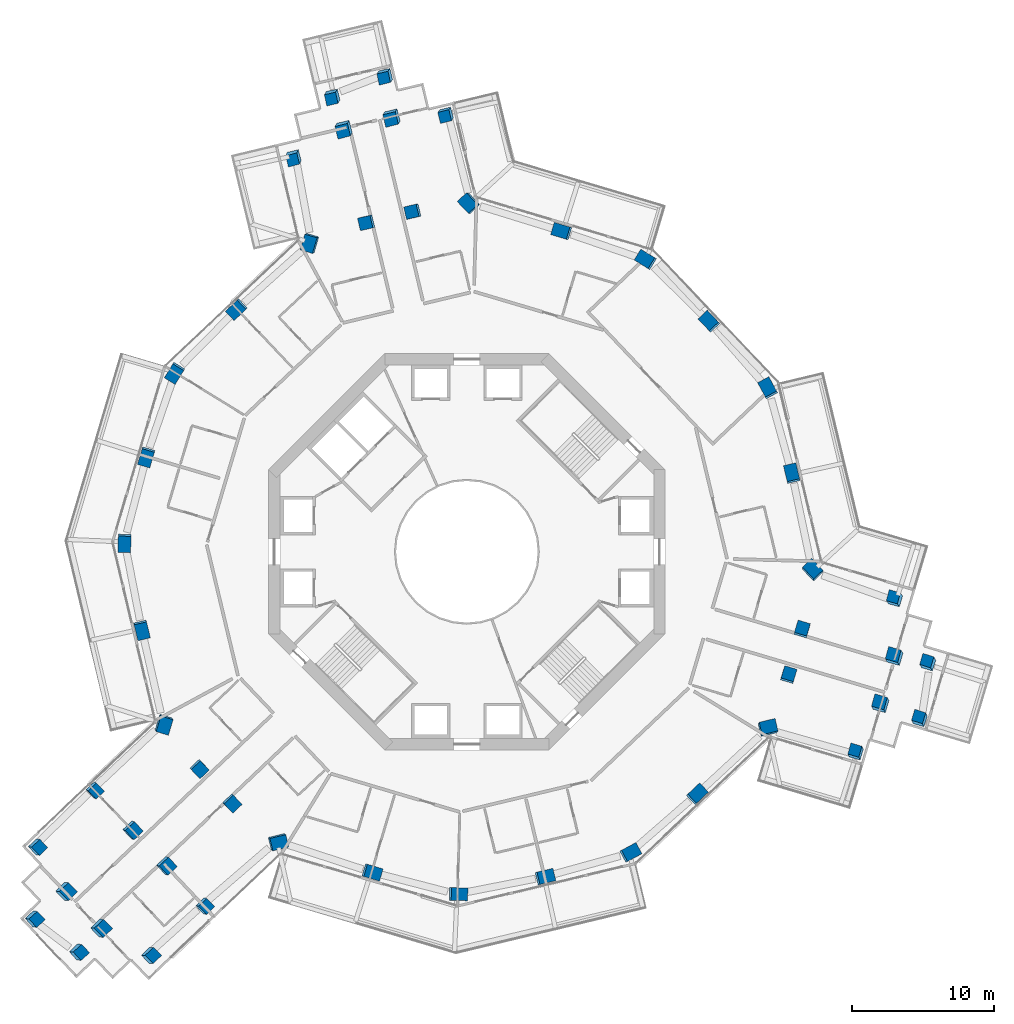
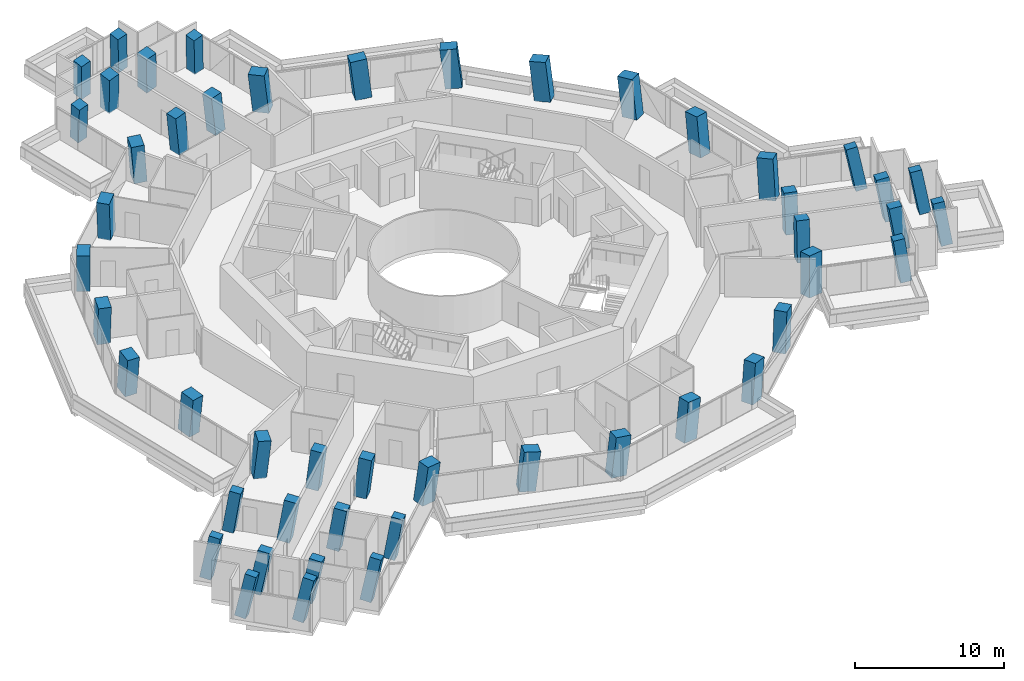
# One storey, part 1 of 27: 49 columns.
"""IFC4 building model written with IfcOpenShell, lengths in metres."""

from ifc_helpers import new_model, si_unit, direction, frame, origin, origin_2d, place, context, subcontext, project, spatial, rectangle, extrude, material, material_profile, profile_set, type_object, element, save


model = new_model("IFC4")

# Units and contexts
model_context = context("Model", 3, precision=1e-05, world=origin(), true_north=direction((0.0, 1.0)))
body_context = subcontext(model_context, "Body", "Model", "MODEL_VIEW")
ifc_project = project(units=[si_unit("LENGTHUNIT", "METRE"), si_unit("AREAUNIT", "SQUARE_METRE"), si_unit("VOLUMEUNIT", "CUBIC_METRE"), si_unit("PLANEANGLEUNIT", "RADIAN"), si_unit("MASSUNIT", "GRAM", prefix="KILO")], contexts=[model_context])

# Site, building, storey
site_placement = place(None, origin())
site = spatial("IfcSite", under=ifc_project, at=site_placement, CompositionType="ELEMENT")
building_placement = place(site_placement, origin())
building = spatial("IfcBuilding", under=site, at=building_placement, Name="Verdalira Terraces Hotel", CompositionType="ELEMENT")
storey_placement = place(building_placement, frame((0.0, 0.0, 89.5)))
storey = spatial("IfcBuildingStorey", under=building, at=storey_placement, Name="L20", CompositionType="ELEMENT", Elevation=89.5)

# Columns
ifc_material_1 = material(Name="Concrete C80", Category="concrete")
ifc_material_profile_1 = material_profile(ifc_material_1, rectangle(XDim=1.149902, YDim=0.899902, at=origin_2d()), Name="RC 1150X900")
ifc_profile_set_1 = profile_set([ifc_material_profile_1], Name="Concrete C80")
column_type_1 = type_object("IfcColumnType", Name="Column RC 1150X900 C80", PredefinedType="COLUMN", material=ifc_profile_set_1)
column_1_placement = place(storey_placement, frame((-11.052734, 21.813232, 0.0), z_axis=(-0.103304932, -0.053362812, 0.993217248), x_axis=(0.278133267, 0.957175499, 0.080355144)))
element("IfcColumn", 1, at=column_1_placement, inside=storey, type_object=column_type_1, Name="Column C03", PredefinedType="COLUMN", context=body_context, shape_type="SweptSolid", body=[
    extrude(rectangle(XDim=1.149902, YDim=0.899902, at=origin_2d()), origin(), (0.0, 0.0, 1.0), 3.21167),
])
column_2_placement = place(storey_placement, frame((-16.23291, 17.141846, 0.0), z_axis=(-0.080917572, -0.077875558, 0.993673862), x_axis=(-0.721783867, -0.682947062, -0.112300308)))
element("IfcColumn", 2, at=column_2_placement, inside=storey, type_object=column_type_1, Name="Column C04", PredefinedType="COLUMN", context=body_context, shape_type="SweptSolid", body=[
    extrude(rectangle(XDim=1.149902, YDim=0.899902, at=origin_2d()), origin(), (0.0, 0.0, 1.0), 3.210205),
])
column_3_placement = place(storey_placement, frame((-20.614502, 12.662109, 0.0), z_axis=(-0.059376626, -0.098530227, 0.993361068), x_axis=(0.51992525, 0.846430674, 0.115034117)))
element("IfcColumn", 3, at=column_3_placement, inside=storey, type_object=column_type_1, Name="Column C05", PredefinedType="COLUMN", context=body_context, shape_type="SweptSolid", body=[
    extrude(rectangle(XDim=1.149902, YDim=0.899902, at=origin_2d()), origin(), (0.0, 0.0, 1.0), 3.211182),
])
column_4_placement = place(storey_placement, frame((-22.62915, 6.72876, 0.0), z_axis=(-0.031104578, -0.107915392, 0.993673374), x_axis=(-0.283296055, -0.952434258, -0.11230463)))
element("IfcColumn", 4, at=column_4_placement, inside=storey, type_object=column_type_1, Name="Column C06", PredefinedType="COLUMN", context=body_context, shape_type="SweptSolid", body=[
    extrude(rectangle(XDim=1.149902, YDim=0.899902, at=origin_2d()), origin(), (0.0, 0.0, 1.0), 3.210205),
])
column_5_placement = place(storey_placement, frame((-24.183594, 0.658691, 0.0), z_axis=(-0.002204763, -0.115027814, 0.993359825), x_axis=(0.027467553, 0.992980471, 0.11504485)))
element("IfcColumn", 5, at=column_5_placement, inside=storey, type_object=column_type_1, Name="Column C07", PredefinedType="COLUMN", context=body_context, shape_type="SweptSolid", body=[
    extrude(rectangle(XDim=1.149902, YDim=0.899902, at=origin_2d()), origin(), (0.0, 0.0, 1.0), 3.211182),
])
column_6_placement = place(storey_placement, frame((-22.961914, -5.487305, 0.0), z_axis=(0.027073959, -0.108980291, 0.993675147), x_axis=(0.231384883, -0.9663603, -0.112288943)))
element("IfcColumn", 6, at=column_6_placement, inside=storey, type_object=column_type_1, Name="Column C08", PredefinedType="COLUMN", context=body_context, shape_type="SweptSolid", body=[
    extrude(rectangle(XDim=1.149902, YDim=0.899902, at=origin_2d()), origin(), (0.0, 0.0, 1.0), 3.210205),
])
column_7_placement = place(storey_placement, frame((-21.419189, -12.157715, 0.0), z_axis=(0.058677812, -0.101394044, 0.993114375), x_axis=(0.290701453, 0.953449368, 0.080168371)))
element("IfcColumn", 7, at=column_7_placement, inside=storey, type_object=column_type_1, Name="Column C09", PredefinedType="COLUMN", context=body_context, shape_type="SweptSolid", body=[
    extrude(rectangle(XDim=1.149902, YDim=0.899902, at=origin_2d()), origin(), (0.0, 0.0, 1.0), 3.212158),
])
column_8_placement = place(storey_placement, frame((-13.364502, -20.478516, 0.0), z_axis=(0.097907404, -0.062788444, 0.993212843), x_axis=(-0.967965552, -0.237868793, 0.080381142)))
element("IfcColumn", 8, at=column_8_placement, inside=storey, type_object=column_type_1, Name="Column C16", PredefinedType="COLUMN", context=body_context, shape_type="SweptSolid", body=[
    extrude(rectangle(XDim=1.149902, YDim=0.899902, at=origin_2d()), origin(), (0.0, 0.0, 1.0), 3.21167),
])
column_9_placement = place(storey_placement, frame((-6.72876, -22.62915, 0.0), z_axis=(0.107915392, -0.031104578, 0.993673374), x_axis=(0.952434258, -0.283296055, -0.11230463)))
element("IfcColumn", 9, at=column_9_placement, inside=storey, type_object=column_type_1, Name="Column C17", PredefinedType="COLUMN", context=body_context, shape_type="SweptSolid", body=[
    extrude(rectangle(XDim=1.149902, YDim=0.899902, at=origin_2d()), origin(), (0.0, 0.0, 1.0), 3.210205),
])
column_10_placement = place(storey_placement, frame((-0.658691, -24.183594, 0.0), z_axis=(0.115027814, -0.002204763, 0.993359825), x_axis=(-0.992980471, 0.027467553, 0.11504485)))
element("IfcColumn", 10, at=column_10_placement, inside=storey, type_object=column_type_1, Name="Column C18", PredefinedType="COLUMN", context=body_context, shape_type="SweptSolid", body=[
    extrude(rectangle(XDim=1.149902, YDim=0.899902, at=origin_2d()), origin(), (0.0, 0.0, 1.0), 3.211182),
])
column_11_placement = place(storey_placement, frame((5.487305, -22.961914, 0.0), z_axis=(0.108980291, 0.027073959, 0.993675147), x_axis=(0.9663603, 0.231384883, -0.112288943)))
element("IfcColumn", 11, at=column_11_placement, inside=storey, type_object=column_type_1, Name="Column C19", PredefinedType="COLUMN", context=body_context, shape_type="SweptSolid", body=[
    extrude(rectangle(XDim=1.149902, YDim=0.899902, at=origin_2d()), origin(), (0.0, 0.0, 1.0), 3.210205),
])
column_12_placement = place(storey_placement, frame((11.521484, -21.272949, 0.0), z_axis=(0.100734874, 0.05557524, 0.993359893), x_axis=(-0.873816203, -0.472451123, 0.115044255)))
element("IfcColumn", 12, at=column_12_placement, inside=storey, type_object=column_type_1, Name="Column C20", PredefinedType="COLUMN", context=body_context, shape_type="SweptSolid", body=[
    extrude(rectangle(XDim=1.149902, YDim=0.899902, at=origin_2d()), origin(), (0.0, 0.0, 1.0), 3.211182),
])
column_13_placement = place(storey_placement, frame((16.23291, -17.141846, 0.0), z_axis=(0.080917572, 0.077875558, 0.993673862), x_axis=(0.721783867, 0.682947062, -0.112300308)))
element("IfcColumn", 13, at=column_13_placement, inside=storey, type_object=column_type_1, Name="Column C21", PredefinedType="COLUMN", context=body_context, shape_type="SweptSolid", body=[
    extrude(rectangle(XDim=1.149902, YDim=0.899902, at=origin_2d()), origin(), (0.0, 0.0, 1.0), 3.210205),
])
column_14_placement = place(storey_placement, frame((21.238525, -12.470703, 0.0), z_axis=(0.05845012, 0.101470624, 0.993119981), x_axis=(-0.971070513, -0.224945116, 0.080135845)))
element("IfcColumn", 14, at=column_14_placement, inside=storey, type_object=column_type_1, Name="Column C22", PredefinedType="COLUMN", context=body_context, shape_type="SweptSolid", body=[
    extrude(rectangle(XDim=1.149902, YDim=0.899902, at=origin_2d()), origin(), (0.0, 0.0, 1.0), 3.212158),
])
column_15_placement = place(storey_placement, frame((24.417236, -1.334717, 0.0), z_axis=(0.005397091, 0.116151488, 0.993216846), x_axis=(0.690131688, -0.719208539, 0.080357516)))
element("IfcColumn", 15, at=column_15_placement, inside=storey, type_object=column_type_1, Name="Column C27", PredefinedType="COLUMN", context=body_context, shape_type="SweptSolid", body=[
    extrude(rectangle(XDim=1.149902, YDim=0.899902, at=origin_2d()), origin(), (0.0, 0.0, 1.0), 3.21167),
])
column_16_placement = place(storey_placement, frame((22.961914, 5.487305, 0.0), z_axis=(-0.027073959, 0.108980291, 0.993675147), x_axis=(-0.231384883, 0.9663603, -0.112288943)))
element("IfcColumn", 16, at=column_16_placement, inside=storey, type_object=column_type_1, Name="Column C28", PredefinedType="COLUMN", context=body_context, shape_type="SweptSolid", body=[
    extrude(rectangle(XDim=1.149902, YDim=0.899902, at=origin_2d()), origin(), (0.0, 0.0, 1.0), 3.210205),
])
column_17_placement = place(storey_placement, frame((21.272949, 11.521484, 0.0), z_axis=(-0.05557524, 0.100734874, 0.993359893), x_axis=(0.472451123, -0.873816203, 0.115044255)))
element("IfcColumn", 17, at=column_17_placement, inside=storey, type_object=column_type_1, Name="Column C29", PredefinedType="COLUMN", context=body_context, shape_type="SweptSolid", body=[
    extrude(rectangle(XDim=1.149902, YDim=0.899902, at=origin_2d()), origin(), (0.0, 0.0, 1.0), 3.211182),
])
column_18_placement = place(storey_placement, frame((17.141846, 16.23291, 0.0), z_axis=(-0.077875558, 0.080917572, 0.993673862), x_axis=(-0.682947062, 0.721783867, -0.112300308)))
element("IfcColumn", 18, at=column_18_placement, inside=storey, type_object=column_type_1, Name="Column C30", PredefinedType="COLUMN", context=body_context, shape_type="SweptSolid", body=[
    extrude(rectangle(XDim=1.149902, YDim=0.899902, at=origin_2d()), origin(), (0.0, 0.0, 1.0), 3.210205),
])
column_19_placement = place(storey_placement, frame((12.662109, 20.614502, 0.0), z_axis=(-0.098530227, 0.059376626, 0.993361068), x_axis=(0.846430674, -0.51992525, 0.115034117)))
element("IfcColumn", 19, at=column_19_placement, inside=storey, type_object=column_type_1, Name="Column C31", PredefinedType="COLUMN", context=body_context, shape_type="SweptSolid", body=[
    extrude(rectangle(XDim=1.149902, YDim=0.899902, at=origin_2d()), origin(), (0.0, 0.0, 1.0), 3.211182),
])
column_20_placement = place(storey_placement, frame((6.72876, 22.62915, 0.0), z_axis=(-0.107915392, 0.031104578, 0.993673374), x_axis=(-0.952434258, 0.283296055, -0.11230463)))
element("IfcColumn", 20, at=column_20_placement, inside=storey, type_object=column_type_1, Name="Column C32", PredefinedType="COLUMN", context=body_context, shape_type="SweptSolid", body=[
    extrude(rectangle(XDim=1.149902, YDim=0.899902, at=origin_2d()), origin(), (0.0, 0.0, 1.0), 3.210205),
])
column_21_placement = place(storey_placement, frame((0.180664, 24.628418, 0.0), z_axis=(-0.117127892, -0.000152015, 0.993116828), x_axis=(0.680564946, -0.728290236, 0.080154141)))
element("IfcColumn", 21, at=column_21_placement, inside=storey, type_object=column_type_1, Name="Column C33", PredefinedType="COLUMN", context=body_context, shape_type="SweptSolid", body=[
    extrude(rectangle(XDim=1.149902, YDim=0.899902, at=origin_2d()), origin(), (0.0, 0.0, 1.0), 3.212158),
])
ifc_material_2 = material(Name="Concrete C80", Category="concrete")
ifc_material_profile_2 = material_profile(ifc_material_2, rectangle(XDim=0.800049, YDim=0.800049, at=origin_2d()), Name="RC 800X800")
ifc_profile_set_2 = profile_set([ifc_material_profile_2], Name="Concrete C80")
column_type_2 = type_object("IfcColumnType", Name="Column RC 800X800 C80", PredefinedType="COLUMN", material=ifc_profile_set_2)
column_22_placement = place(storey_placement, frame((-1.4375, 30.926025, 0.0), z_axis=(-0.107554482, -0.154980672, 0.982045327), x_axis=(-0.248157233, 0.960694776, 0.124432851)))
element("IfcColumn", 22, at=column_22_placement, inside=storey, type_object=column_type_2, Name="Column C01", PredefinedType="COLUMN", context=body_context, shape_type="SweptSolid", body=[
    extrude(rectangle(XDim=0.800049, YDim=0.800049, at=origin_2d()), origin(), (0.0, 0.0, 1.0), 3.248291),
])
column_23_placement = place(storey_placement, frame((-12.194092, 27.923584, 0.0), z_axis=(-0.092346337, -0.203863117, 0.974634282), x_axis=(0.252775021, -0.951551465, -0.175084546)))
element("IfcColumn", 23, at=column_23_placement, inside=storey, type_object=column_type_2, Name="Column C02", PredefinedType="COLUMN", context=body_context, shape_type="SweptSolid", body=[
    extrude(rectangle(XDim=0.800049, YDim=0.800049, at=origin_2d()), origin(), (0.0, 0.0, 1.0), 3.272949),
])
column_24_placement = place(storey_placement, frame((-26.341309, -16.818848, 0.0), z_axis=(0.135242842, -0.070495709, 0.988301436), x_axis=(-0.719970424, -0.692262547, 0.049144224)))
element("IfcColumn", 24, at=column_24_placement, inside=storey, type_object=column_type_2, Name="Column C10", PredefinedType="COLUMN", context=body_context, shape_type="SweptSolid", body=[
    extrude(rectangle(XDim=0.800049, YDim=0.800049, at=origin_2d()), origin(), (0.0, 0.0, 1.0), 3.227783),
])
column_25_placement = place(storey_placement, frame((-30.420654, -20.833496, 0.0), z_axis=(0.206685096, -0.035844374, 0.977750711), x_axis=(-0.705671087, -0.697676783, 0.123593783)))
element("IfcColumn", 25, at=column_25_placement, inside=storey, type_object=column_type_2, Name="Column C11", PredefinedType="COLUMN", context=body_context, shape_type="SweptSolid", body=[
    extrude(rectangle(XDim=0.800049, YDim=0.800049, at=origin_2d()), origin(), (0.0, 0.0, 1.0), 3.262451),
])
column_26_placement = place(storey_placement, frame((-30.644043, -25.92041, 0.0), z_axis=(0.229285218, -0.036477194, 0.972675538), x_axis=(0.656734149, -0.731767987, -0.182252219)))
element("IfcColumn", 26, at=column_26_placement, inside=storey, type_object=column_type_2, Name="Column C12", PredefinedType="COLUMN", context=body_context, shape_type="SweptSolid", body=[
    extrude(rectangle(XDim=0.800049, YDim=0.800049, at=origin_2d()), origin(), (0.0, 0.0, 1.0), 3.279541),
])
column_27_placement = place(storey_placement, frame((-27.524902, -28.268799, 0.0), z_axis=(0.239644763, -0.021914199, 0.970613288), x_axis=(0.654927285, -0.734360811, -0.178281942)))
element("IfcColumn", 27, at=column_27_placement, inside=storey, type_object=column_type_2, Name="Column C13", PredefinedType="COLUMN", context=body_context, shape_type="SweptSolid", body=[
    extrude(rectangle(XDim=0.800049, YDim=0.800049, at=origin_2d()), origin(), (0.0, 0.0, 1.0), 3.286621),
])
column_28_placement = place(storey_placement, frame((-22.438232, -28.506348, 0.0), z_axis=(0.240542082, 0.001782894, 0.970637073), x_axis=(0.694635131, 0.698144298, -0.173425992)))
element("IfcColumn", 28, at=column_28_placement, inside=storey, type_object=column_type_2, Name="Column C14", PredefinedType="COLUMN", context=body_context, shape_type="SweptSolid", body=[
    extrude(rectangle(XDim=0.800049, YDim=0.800049, at=origin_2d()), origin(), (0.0, 0.0, 1.0), 3.286377),
])
column_29_placement = place(storey_placement, frame((-18.585205, -25.009277, 0.0), z_axis=(0.172902393, -0.03329972, 0.984375889), x_axis=(0.711818978, 0.694987588, -0.101518448)))
element("IfcColumn", 29, at=column_29_placement, inside=storey, type_object=column_type_2, Name="Column C15", PredefinedType="COLUMN", context=body_context, shape_type="SweptSolid", body=[
    extrude(rectangle(XDim=0.800049, YDim=0.800049, at=origin_2d()), origin(), (0.0, 0.0, 1.0), 3.240479),
])
column_30_placement = place(storey_placement, frame((27.501465, -14.218262, 0.0), z_axis=(-0.080420969, 0.17068787, 0.982037738), x_axis=(0.956006816, -0.265633109, 0.124458907)))
element("IfcColumn", 30, at=column_30_placement, inside=storey, type_object=column_type_2, Name="Column C23", PredefinedType="COLUMN", context=body_context, shape_type="SweptSolid", body=[
    extrude(rectangle(XDim=0.800049, YDim=0.800049, at=origin_2d()), origin(), (0.0, 0.0, 1.0), 3.248291),
])
column_31_placement = place(storey_placement, frame((32.018555, -11.868164, 0.0), z_axis=(-0.091183932, 0.19089532, 0.977366087), x_axis=(0.303122995, 0.940202512, -0.155356642)))
element("IfcColumn", 31, at=column_31_placement, inside=storey, type_object=column_type_2, Name="Column C24", PredefinedType="COLUMN", context=body_context, shape_type="SweptSolid", body=[
    extrude(rectangle(XDim=0.800049, YDim=0.800049, at=origin_2d()), origin(), (0.0, 0.0, 1.0), 3.263916),
])
column_32_placement = place(storey_placement, frame((32.617188, -7.925293, 0.0), z_axis=(-0.109402351, 0.193058583, 0.975068977), x_axis=(0.30544705, 0.94002344, -0.151848712)))
element("IfcColumn", 32, at=column_32_placement, inside=storey, type_object=column_type_2, Name="Column C25", PredefinedType="COLUMN", context=body_context, shape_type="SweptSolid", body=[
    extrude(rectangle(XDim=0.800049, YDim=0.800049, at=origin_2d()), origin(), (0.0, 0.0, 1.0), 3.271484),
])
column_33_placement = place(storey_placement, frame((30.279541, -3.401367, 0.0), z_axis=(-0.130388019, 0.181931567, 0.974628067), x_axis=(-0.950445055, 0.25688944, -0.175105717)))
element("IfcColumn", 33, at=column_33_placement, inside=storey, type_object=column_type_2, Name="Column C26", PredefinedType="COLUMN", context=body_context, shape_type="SweptSolid", body=[
    extrude(rectangle(XDim=0.800049, YDim=0.800049, at=origin_2d()), origin(), (0.0, 0.0, 1.0), 3.272949),
])
column_34_placement = place(storey_placement, frame((-5.731201, 33.663086, 0.0), z_axis=(-0.119683734, -0.174439042, 0.977367292), x_axis=(-0.965752027, -0.207818689, -0.155352551)))
element("IfcColumn", 34, at=column_34_placement, inside=storey, type_object=column_type_2, Name="Column C34", PredefinedType="COLUMN", context=body_context, shape_type="SweptSolid", body=[
    extrude(rectangle(XDim=0.800049, YDim=0.800049, at=origin_2d()), origin(), (0.0, 0.0, 1.0), 3.263916),
])
column_35_placement = place(storey_placement, frame((-9.445068, 32.209961, 0.0), z_axis=(-0.112536251, -0.191266852, 0.975065425), x_axis=(-0.966845, -0.205303367, -0.15185939)))
element("IfcColumn", 35, at=column_35_placement, inside=storey, type_object=column_type_2, Name="Column C35", PredefinedType="COLUMN", context=body_context, shape_type="SweptSolid", body=[
    extrude(rectangle(XDim=0.800049, YDim=0.800049, at=origin_2d()), origin(), (0.0, 0.0, 1.0), 3.271484),
])
ifc_material_3 = material(Name="Concrete C80", Category="concrete")
ifc_material_profile_3 = material_profile(ifc_material_3, rectangle(XDim=0.899902, YDim=0.899902, at=origin_2d()), Name="RC 900X900")
ifc_profile_set_3 = profile_set([ifc_material_profile_3], Name="Concrete C80")
column_type_3 = type_object("IfcColumnType", Name="Column RC 900X900 C80", PredefinedType="COLUMN", material=ifc_profile_set_3)
for number, where, z_axis, x_axis, name in (
    (36, (-3.78418, 24.037109, 0.0), (-0.114107257, -0.018929185, 0.993288085), (-0.231384098, 0.97282924, -0.008041715), "Column C36"),
    (37, (-7.048584, 23.25708, 0.0), (-0.110307615, -0.03443787, 0.993300691), (-0.23326113, 0.97238278, 0.007808625), "Column C37"),
):
    element("IfcColumn", number, at=place(storey_placement, frame(where, z_axis=z_axis, x_axis=x_axis)), inside=storey, type_object=column_type_3, Name=name, PredefinedType="COLUMN", context=body_context, shape_type="SweptSolid", body=[
        extrude(rectangle(XDim=0.899902, YDim=0.899902, at=origin_2d()), origin(), (0.0, 0.0, 1.0), 3.211426),
    ])
column_36_placement = place(storey_placement, frame((-5.259277, 30.742676, 0.0), z_axis=(-0.106275927, -0.172454802, 0.979267465), x_axis=(-0.250285289, 0.957774989, 0.141507402)))
element("IfcColumn", 38, at=column_36_placement, inside=storey, type_object=column_type_3, Name="Column C38", PredefinedType="COLUMN", context=body_context, shape_type="SweptSolid", body=[
    extrude(rectangle(XDim=0.899902, YDim=0.899902, at=origin_2d()), origin(), (0.0, 0.0, 1.0), 3.257568),
])
column_37_placement = place(storey_placement, frame((-8.644043, 29.933838, 0.0), z_axis=(-0.102129177, -0.187810023, 0.976881276), x_axis=(-0.251778618, 0.954921483, 0.157265665)))
element("IfcColumn", 39, at=column_37_placement, inside=storey, type_object=column_type_3, Name="Column C39", PredefinedType="COLUMN", context=body_context, shape_type="SweptSolid", body=[
    extrude(rectangle(XDim=0.899902, YDim=0.899902, at=origin_2d()), origin(), (0.0, 0.0, 1.0), 3.265381),
])
for number, where, z_axis, x_axis, name in (
    (40, (-18.924805, -15.295654, 0.0), (0.073511486, -0.089399698, 0.993279294), (-0.726674262, -0.68693505, -0.008046962), "Column C40"),
    (41, (-16.616699, -17.732666, 0.0), (0.084916834, -0.0783029, 0.993306492), (-0.725692091, -0.687975339, 0.007805255), "Column C41"),
):
    element("IfcColumn", number, at=place(storey_placement, frame(where, z_axis=z_axis, x_axis=x_axis)), inside=storey, type_object=column_type_3, Name=name, PredefinedType="COLUMN", context=body_context, shape_type="SweptSolid", body=[
        extrude(rectangle(XDim=0.899902, YDim=0.899902, at=origin_2d()), origin(), (0.0, 0.0, 1.0), 3.211426),
    ])
column_38_placement = place(storey_placement, frame((-23.672363, -19.637207, 0.0), z_axis=(0.148248904, -0.057652352, 0.987268185), x_axis=(-0.717343346, -0.693469431, 0.067221068)))
element("IfcColumn", 42, at=column_38_placement, inside=storey, type_object=column_type_3, Name="Column C42", PredefinedType="COLUMN", context=body_context, shape_type="SweptSolid", body=[
    extrude(rectangle(XDim=0.899902, YDim=0.899902, at=origin_2d()), origin(), (0.0, 0.0, 1.0), 3.230957),
])
column_39_placement = place(storey_placement, frame((-21.287354, -22.155518, 0.0), z_axis=(0.159839599, -0.046336881, 0.986054865), x_axis=(-0.715317531, -0.693811009, 0.083349347)))
element("IfcColumn", 43, at=column_39_placement, inside=storey, type_object=column_type_3, Name="Column C43", PredefinedType="COLUMN", context=body_context, shape_type="SweptSolid", body=[
    extrude(rectangle(XDim=0.899902, YDim=0.899902, at=origin_2d()), origin(), (0.0, 0.0, 1.0), 3.235107),
])
column_40_placement = place(storey_placement, frame((-28.419922, -23.978516, 0.0), z_axis=(0.220653938, -0.02634117, 0.974996401), x_axis=(-0.701987969, -0.698292207, 0.140003159)))
element("IfcColumn", 44, at=column_40_placement, inside=storey, type_object=column_type_3, Name="Column C44", PredefinedType="COLUMN", context=body_context, shape_type="SweptSolid", body=[
    extrude(rectangle(XDim=0.899902, YDim=0.899902, at=origin_2d()), origin(), (0.0, 0.0, 1.0), 3.271729),
])
column_41_placement = place(storey_placement, frame((-25.958008, -26.578613, 0.0), z_axis=(0.232162472, -0.014663676, 0.972566483), x_axis=(-0.698100013, -0.698774977, 0.156108623)))
element("IfcColumn", 45, at=column_41_placement, inside=storey, type_object=column_type_3, Name="Column C45", PredefinedType="COLUMN", context=body_context, shape_type="SweptSolid", body=[
    extrude(rectangle(XDim=0.899902, YDim=0.899902, at=origin_2d()), origin(), (0.0, 0.0, 1.0), 3.280029),
])
for number, where, z_axis, x_axis, name in (
    (46, (22.70874, -8.741455, 0.0), (0.040670924, 0.108329096, 0.993282781), (0.958201429, -0.285981296, -0.008044881), "Column C46"),
    (47, (23.665283, -5.52417, 0.0), (0.025315287, 0.112740453, 0.993301931), (0.958769265, -0.284078391, 0.007807905), "Column C47"),
):
    element("IfcColumn", number, at=place(storey_placement, frame(where, z_axis=z_axis, x_axis=x_axis)), inside=storey, type_object=column_type_3, Name=name, PredefinedType="COLUMN", context=body_context, shape_type="SweptSolid", body=[
        extrude(rectangle(XDim=0.899902, YDim=0.899902, at=origin_2d()), origin(), (0.0, 0.0, 1.0), 3.211426),
    ])
column_42_placement = place(storey_placement, frame((29.253418, -10.81665, 0.0), z_axis=(-0.096159155, 0.178227958, 0.979279435), x_axis=(0.954566373, -0.262278734, 0.141466974)))
element("IfcColumn", 48, at=column_42_placement, inside=storey, type_object=column_type_3, Name="Column C48", PredefinedType="COLUMN", context=body_context, shape_type="SweptSolid", body=[
    extrude(rectangle(XDim=0.899902, YDim=0.899902, at=origin_2d()), origin(), (0.0, 0.0, 1.0), 3.257324),
])
column_43_placement = place(storey_placement, frame((30.245605, -7.480713, 0.0), z_axis=(-0.11162535, 0.182279037, 0.976890032), x_axis=(0.952967922, -0.259092472, 0.157236228)))
element("IfcColumn", 49, at=column_43_placement, inside=storey, type_object=column_type_3, Name="Column C49", PredefinedType="COLUMN", context=body_context, shape_type="SweptSolid", body=[
    extrude(rectangle(XDim=0.899902, YDim=0.899902, at=origin_2d()), origin(), (0.0, 0.0, 1.0), 3.265381),
])

save(model, "model.ifc")
